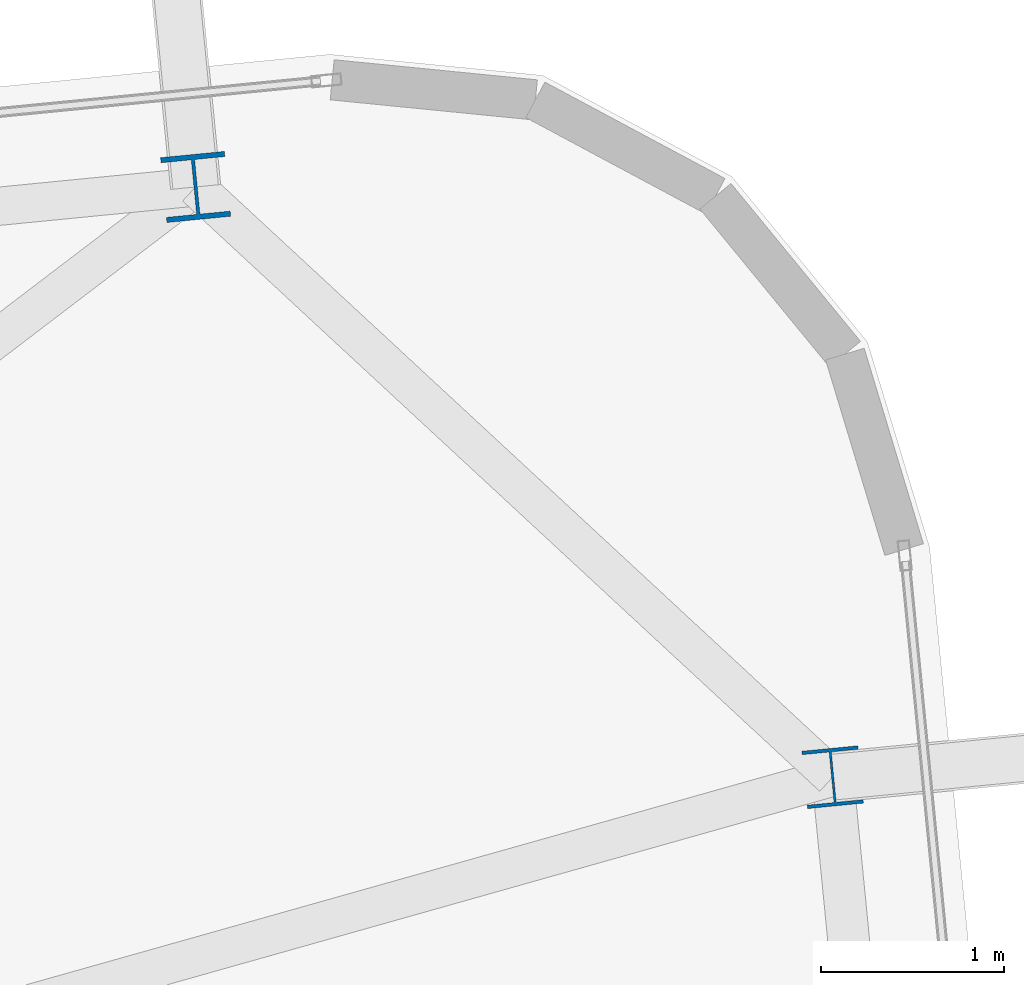
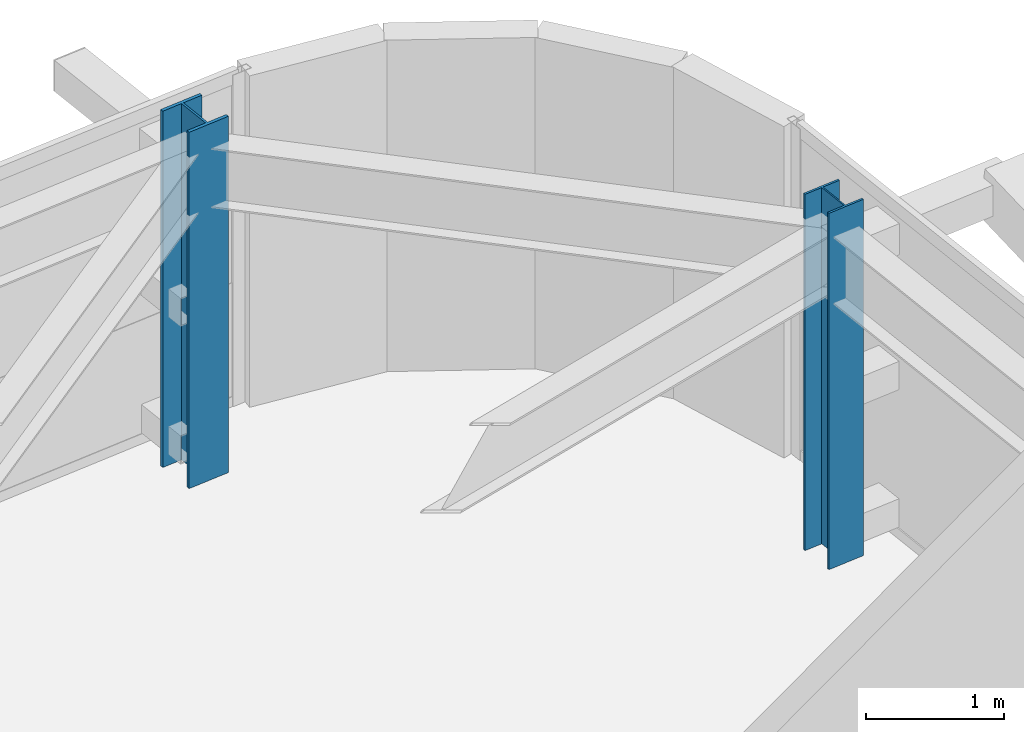
# One storey, part 4 of 53: 2 columns.
"""IFC4 building model written with IfcOpenShell, lengths in metres."""

from ifc_helpers import new_model, si_unit, direction, frame, origin, origin_2d, place, context, subcontext, project, spatial, i_section, extrude, source, transform, mapped, material, material_profile, profile_set, type_object, element, save


model = new_model("IFC4")

# Units and contexts
model_context = context("Model", 3, precision=1e-05, world=origin(), true_north=direction((0.0, 1.0)))
body_context = subcontext(model_context, "Body", "Model", "MODEL_VIEW")
ifc_project = project(units=[si_unit("LENGTHUNIT", "METRE"), si_unit("AREAUNIT", "SQUARE_METRE"), si_unit("VOLUMEUNIT", "CUBIC_METRE"), si_unit("PLANEANGLEUNIT", "RADIAN"), si_unit("MASSUNIT", "GRAM", prefix="KILO")], contexts=[model_context])

# Site, building, storey
site_placement = place(None, origin())
site = spatial("IfcSite", under=ifc_project, at=site_placement, CompositionType="ELEMENT")
building_placement = place(site_placement, origin())
building = spatial("IfcBuilding", under=site, at=building_placement, Name="Taldren Reach Tower", CompositionType="ELEMENT")
storey_placement = place(building_placement, frame((0.0, 0.0, 71.39990234375)))
storey = spatial("IfcBuildingStorey", under=building, at=storey_placement, Name="L21", CompositionType="ELEMENT", Elevation=71.39990234375)

# Columns
ifc_material = material(Name="Steel Gr 350 (350PLUS)", Category="steel")
ifc_material_profile_1 = material_profile(ifc_material, i_section(OverallWidth=0.35009765625, OverallDepth=0.35595703125, WebThickness=0.01806640625, FlangeThickness=0.028076171875, at=origin_2d()), Name="350WC197")
ifc_profile_set_1 = profile_set([ifc_material_profile_1], Name="Steel Gr 350 (350PLUS)")
column_type_1 = type_object("IfcColumnType", Name="COL-WC350", PredefinedType="COLUMN", material=ifc_profile_set_1)
shared_shape_1 = source(origin(), body_context, "Body", "SweptSolid", [
    extrude(i_section(OverallWidth=0.35009765625, OverallDepth=0.35595703125, WebThickness=0.01806640625, FlangeThickness=0.028076171875, at=origin_2d()), origin(), (0.0, 0.0, 1.0), 3.150146484375),
])
column_1_placement = place(storey_placement, frame((59.765869140625, 38.679931640625, 0.0), z_axis=(0.0, 0.0, 1.0), x_axis=(0.995227399982, 0.097582899759, 0.0)))
element("IfcColumn", 1, at=column_1_placement, inside=storey, type_object=column_type_1, Name="Block B2 perimeter column N6 L21", PredefinedType="COLUMN", context=body_context, shape_type="MappedRepresentation", body=[
    mapped(shared_shape_1, transform((0.0, 0.0, 0.0), scale=1.0)),
])
ifc_material_profile_2 = material_profile(ifc_material, i_section(OverallWidth=0.306884765625, OverallDepth=0.31494140625, WebThickness=0.011962890625, FlangeThickness=0.018798828125, at=origin_2d()), Name="310UC118")
ifc_profile_set_2 = profile_set([ifc_material_profile_2], Name="Steel Gr 350 (350PLUS)")
column_type_2 = type_object("IfcColumnType", Name="COL-UC310B", PredefinedType="COLUMN", material=ifc_profile_set_2)
shared_shape_2 = source(origin(), body_context, "Body", "SweptSolid", [
    extrude(i_section(OverallWidth=0.306884765625, OverallDepth=0.31494140625, WebThickness=0.011962890625, FlangeThickness=0.018798828125, at=origin_2d()), origin(), (0.0, 0.0, 1.0), 3.150146484375),
])
column_2_placement = place(storey_placement, frame((63.247314453125, 35.454345703125, 0.0), z_axis=(0.0, 0.0, 1.0), x_axis=(0.995227399982, 0.097582899759, 0.0)))
element("IfcColumn", 2, at=column_2_placement, inside=storey, type_object=column_type_2, Name="Block B2 perimeter column E3 L21", PredefinedType="COLUMN", context=body_context, shape_type="MappedRepresentation", body=[
    mapped(shared_shape_2, transform((0.0, 0.0, 0.0), scale=1.0)),
])

save(model, "model.ifc")
